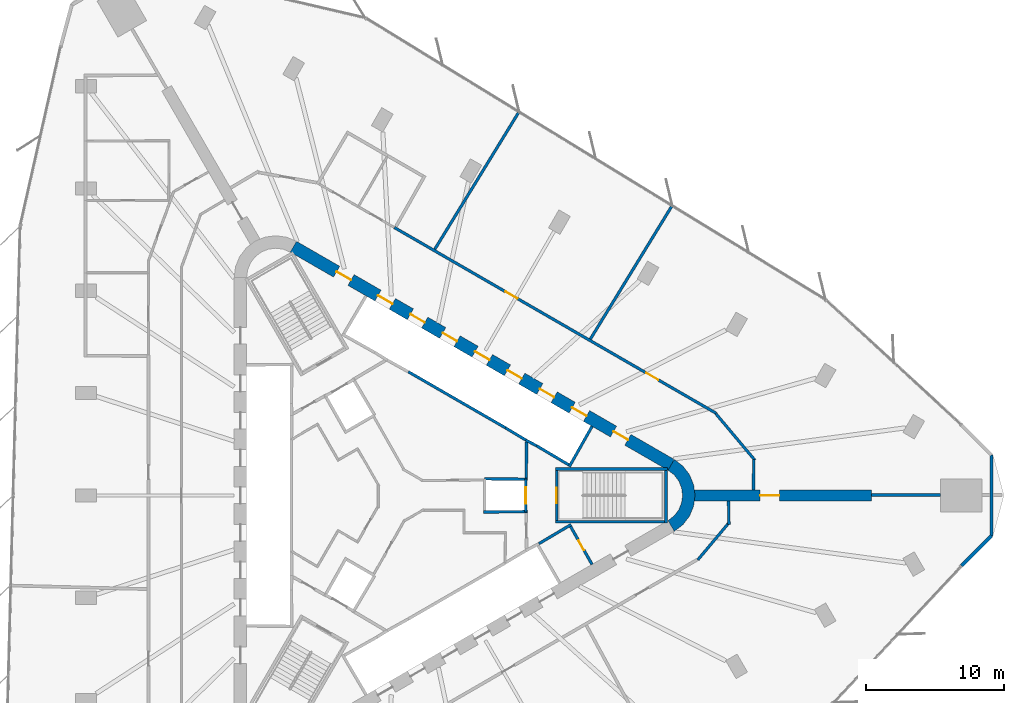
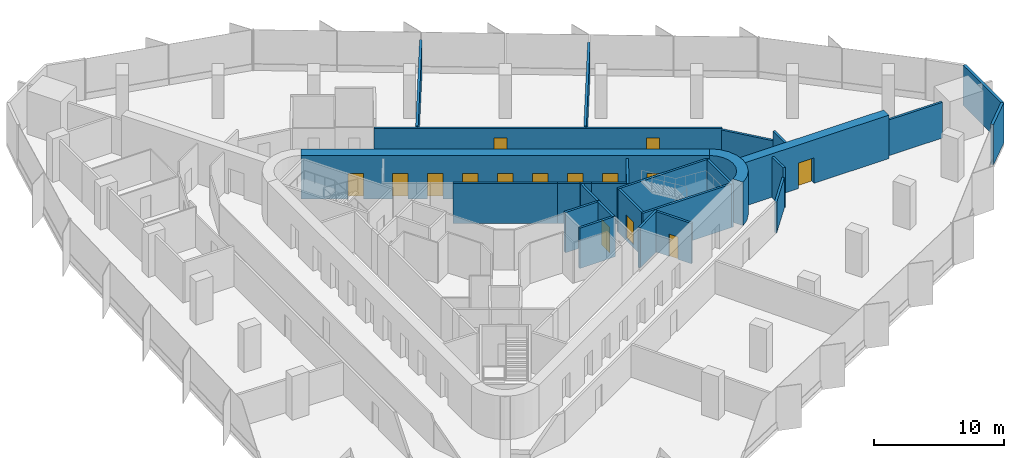
# One storey, part 12 of 14: 28 walls, 15 doors, 15 openings.
"""IFC4 building model written with IfcOpenShell, lengths in metres."""

from ifc_helpers import new_model, si_unit, direction, frame, frame_2d, origin, place, context, subcontext, project, spatial, polyline, rectangle, outline, extrude, material, layer, layer_set, type_object, element, fill, save


model = new_model("IFC4")

# Units and contexts
model_context = context("Model", 3, precision=1e-05, world=origin(), true_north=direction((0.0, 1.0)))
body_context = subcontext(model_context, "Body", "Model", "MODEL_VIEW")
ifc_project = project(units=[si_unit("LENGTHUNIT", "METRE"), si_unit("AREAUNIT", "SQUARE_METRE"), si_unit("VOLUMEUNIT", "CUBIC_METRE"), si_unit("PLANEANGLEUNIT", "RADIAN"), si_unit("MASSUNIT", "GRAM", prefix="KILO")], contexts=[model_context])

# Site, building, storey
site_placement = place(None, origin())
site = spatial("IfcSite", under=ifc_project, at=site_placement, CompositionType="ELEMENT")
building_placement = place(site_placement, origin())
building = spatial("IfcBuilding", under=site, at=building_placement, Name="Tanit Gate Tower", CompositionType="ELEMENT")
storey_placement = place(building_placement, frame((0.0, 0.0, 123.39990234375)))
storey = spatial("IfcBuildingStorey", under=building, at=storey_placement, Name="L26", CompositionType="ELEMENT", Elevation=123.39990234375)

# Wall, opening, door
ifc_material_1 = material(Name="Concrete C60/75", Category="concrete")
ifc_layer_1 = layer(ifc_material_1, 0.800048828125)
ifc_layer_set_1 = layer_set([ifc_layer_1], Name="BUTTRESS FIN 800 C60/75")
wall_type_1 = type_object("IfcWallType", Name="BUTTRESS FIN 800 C60/75", PredefinedType="SHEAR", material=ifc_layer_set_1)
wall_1_placement = place(storey_placement, frame((21.14990234375, 0.0, 0.0), z_axis=(0.0, 0.0, 1.0), x_axis=(1.0, 0.0, 0.0)))
wall_1 = element("IfcWall", 1, at=wall_1_placement, inside=storey, type_object=wall_type_1, Name="BUTTRESS FIN", PredefinedType="SHEAR", context=body_context, shape_type="SweptSolid", body=[
    extrude(rectangle(XDim=12.8125, YDim=0.800048828125, at=frame_2d((6.40625, 0.0))), origin(), (0.0, 0.0, 1.0), 4.10009765625),
])
opening_1_placement = place(wall_1_placement, frame((4.75, 0.0, 0.0)))
opening_1 = element("IfcOpeningElement", 2, at=opening_1_placement, cuts=wall_1, Name="Opening P14-S06-F-E-1", PredefinedType="OPENING", context=body_context, shape_type="SweptSolid", body=[
    extrude(rectangle(XDim=1.39990234375, YDim=2.39990234375, at=frame_2d((0.699951171875, 1.199951171875))), frame((0.0, 0.41015625, 0.0), z_axis=(0.0, -1.0, 0.0), x_axis=(1.0, 0.0, 0.0)), (0.0, 0.0, 1.0), 0.820068359375),
])
ifc_material_2 = material(Name="Timber door leaf", Category="wood")
door_type_1 = type_object("IfcDoorType", Name="INT-DOOR-FIN-PAIR-1400", OperationType="NOTDEFINED", PredefinedType="NOTDEFINED", material=ifc_material_2)
door_1_placement = place(opening_1_placement, origin())
door_1 = element("IfcDoor", 3, at=door_1_placement, inside=storey, type_object=door_type_1, Name="Door P14-S06-F-E-1", OperationType="DOUBLE_DOOR_SINGLE_SWING", OverallHeight=2.39990234375, OverallWidth=1.39990234375, PredefinedType="NOTDEFINED", context=body_context, shape_type="SweptSolid", body=[
    extrude(rectangle(XDim=1.39990234375, YDim=2.39990234375, at=frame_2d((0.699951171875, 1.199951171875))), frame((0.0, 0.02490234375, 0.0), z_axis=(0.0, -1.0, 0.0), x_axis=(1.0, 0.0, 0.0)), (0.0, 0.0, 1.0), 0.050048828125),
])
fill(opening_1, door_1)

# Wall, openings, doors
ifc_material_3 = material(Name="Concrete C60/75", Category="concrete")
ifc_layer_2 = layer(ifc_material_3, 0.89990234375)
ifc_layer_set_2 = layer_set([ifc_layer_2], Name="CORE WALL 900 C60/75")
wall_type_2 = type_object("IfcWallType", Name="CORE WALL 900 C60/75", PredefinedType="SHEAR", material=ifc_layer_set_2)
wall_2_placement = place(storey_placement, frame((19.47509765625, 2.20849609375, 0.0), z_axis=(0.0, 0.0, 1.0), x_axis=(-0.866028369851, 0.499994862586, 0.0)))
wall_2 = element("IfcWall", 4, at=wall_2_placement, inside=storey, type_object=wall_type_2, Name="CORE WALL", PredefinedType="SHEAR", context=body_context, shape_type="SweptSolid", body=[
    extrude(rectangle(XDim=31.523193359375, YDim=0.89990234375, at=frame_2d((15.76171875, 0.0))), origin(), (0.0, 0.0, 1.0), 4.10009765625),
])
opening_2_placement = place(wall_2_placement, frame((7.0615234375, 0.0, 0.0)))
opening_2 = element("IfcOpeningElement", 5, at=opening_2_placement, cuts=wall_2, Name="Opening LDLL8-S06", PredefinedType="OPENING", context=body_context, shape_type="SweptSolid", body=[
    extrude(rectangle(XDim=1.199951171875, YDim=2.39990234375, at=frame_2d((0.60009765625, 1.199951171875))), frame((0.0, 0.4599609375, 0.0), z_axis=(0.0, -1.0, 0.0), x_axis=(1.0, 0.0, 0.0)), (0.0, 0.0, 1.0), 0.919921875),
])
opening_3_placement = place(wall_2_placement, frame((9.76171875, 0.0, 0.0)))
opening_3 = element("IfcOpeningElement", 6, at=opening_3_placement, cuts=wall_2, Name="Opening LDLL9-S06", PredefinedType="OPENING", context=body_context, shape_type="SweptSolid", body=[
    extrude(rectangle(XDim=1.199951171875, YDim=2.39990234375, at=frame_2d((0.60009765625, 1.199951171875))), frame((0.0, 0.4599609375, 0.0), z_axis=(0.0, -1.0, 0.0), x_axis=(1.0, 0.0, 0.0)), (0.0, 0.0, 1.0), 0.919921875),
])
opening_4_placement = place(wall_2_placement, frame((12.461669921875, 0.0, 0.0)))
opening_4 = element("IfcOpeningElement", 7, at=opening_4_placement, cuts=wall_2, Name="Opening LDLL10-S06", PredefinedType="OPENING", context=body_context, shape_type="SweptSolid", body=[
    extrude(rectangle(XDim=1.199951171875, YDim=2.39990234375, at=frame_2d((0.60009765625, 1.199951171875))), frame((0.0, 0.4599609375, 0.0), z_axis=(0.0, -1.0, 0.0), x_axis=(1.0, 0.0, 0.0)), (0.0, 0.0, 1.0), 0.919921875),
])
opening_5_placement = place(wall_2_placement, frame((15.16162109375, 0.0, 0.0)))
opening_5 = element("IfcOpeningElement", 8, at=opening_5_placement, cuts=wall_2, Name="Opening LDSL1-S06", PredefinedType="OPENING", context=body_context, shape_type="SweptSolid", body=[
    extrude(rectangle(XDim=1.199951171875, YDim=2.39990234375, at=frame_2d((0.60009765625, 1.199951171875))), frame((0.0, 0.4599609375, 0.0), z_axis=(0.0, -1.0, 0.0), x_axis=(1.0, 0.0, 0.0)), (0.0, 0.0, 1.0), 0.919921875),
])
opening_6_placement = place(wall_2_placement, frame((17.861572265625, 0.0, 0.0)))
opening_6 = element("IfcOpeningElement", 9, at=opening_6_placement, cuts=wall_2, Name="Opening LDSL2-S06", PredefinedType="OPENING", context=body_context, shape_type="SweptSolid", body=[
    extrude(rectangle(XDim=1.199951171875, YDim=2.39990234375, at=frame_2d((0.60009765625, 1.199951171875))), frame((0.0, 0.4599609375, 0.0), z_axis=(0.0, -1.0, 0.0), x_axis=(1.0, 0.0, 0.0)), (0.0, 0.0, 1.0), 0.919921875),
])
opening_7_placement = place(wall_2_placement, frame((20.5615234375, 0.0, 0.0)))
opening_7 = element("IfcOpeningElement", 10, at=opening_7_placement, cuts=wall_2, Name="Opening LDSL3-S06", PredefinedType="OPENING", context=body_context, shape_type="SweptSolid", body=[
    extrude(rectangle(XDim=1.199951171875, YDim=2.39990234375, at=frame_2d((0.60009765625, 1.199951171875))), frame((0.0, 0.4599609375, 0.0), z_axis=(0.0, -1.0, 0.0), x_axis=(1.0, 0.0, 0.0)), (0.0, 0.0, 1.0), 0.919921875),
])
opening_8_placement = place(wall_2_placement, frame((23.26171875, 0.0, 0.0)))
opening_8 = element("IfcOpeningElement", 11, at=opening_8_placement, cuts=wall_2, Name="Opening LDSL4-S06", PredefinedType="OPENING", context=body_context, shape_type="SweptSolid", body=[
    extrude(rectangle(XDim=1.199951171875, YDim=2.39990234375, at=frame_2d((0.60009765625, 1.199951171875))), frame((0.0, 0.4599609375, 0.0), z_axis=(0.0, -1.0, 0.0), x_axis=(1.0, 0.0, 0.0)), (0.0, 0.0, 1.0), 0.919921875),
])
opening_9_placement = place(wall_2_placement, frame((3.611572265625, 0.0, 0.0)))
opening_9 = element("IfcOpeningElement", 12, at=opening_9_placement, cuts=wall_2, Name="Opening F12-S06-FL1", PredefinedType="OPENING", context=body_context, shape_type="SweptSolid", body=[
    extrude(rectangle(XDim=1.199951171875, YDim=2.39990234375, at=frame_2d((0.60009765625, 1.199951171875))), frame((0.0, 0.4599609375, 0.0), z_axis=(0.0, -1.0, 0.0), x_axis=(1.0, 0.0, 0.0)), (0.0, 0.0, 1.0), 0.919921875),
])
opening_10_placement = place(wall_2_placement, frame((26.711669921875, 0.0, 0.0)))
opening_10 = element("IfcOpeningElement", 13, at=opening_10_placement, cuts=wall_2, Name="Opening F12-S06-S2", PredefinedType="OPENING", context=body_context, shape_type="SweptSolid", body=[
    extrude(rectangle(XDim=1.199951171875, YDim=2.39990234375, at=frame_2d((0.60009765625, 1.199951171875))), frame((0.0, 0.4599609375, 0.0), z_axis=(0.0, -1.0, 0.0), x_axis=(1.0, 0.0, 0.0)), (0.0, 0.0, 1.0), 0.919921875),
])
ifc_material_4 = material(Name="Fire-rated steel door leaf", Category="steel")
door_type_2 = type_object("IfcDoorType", Name="INT-DOOR-FIRE-LOBBY-1200", OperationType="NOTDEFINED", PredefinedType="USERDEFINED", material=ifc_material_4)
door_2_placement = place(opening_9_placement, origin())
door_2 = element("IfcDoor", 14, at=door_2_placement, inside=storey, type_object=door_type_2, Name="Door F12-S06-FL1", ObjectType="FIRE DOOR", OperationType="SINGLE_SWING_LEFT", OverallHeight=2.39990234375, OverallWidth=1.199951171875, PredefinedType="USERDEFINED", context=body_context, shape_type="SweptSolid", body=[
    extrude(rectangle(XDim=1.199951171875, YDim=2.39990234375, at=frame_2d((0.60009765625, 1.199951171875))), frame((0.0, 0.02490234375, 0.0), z_axis=(0.0, -1.0, 0.0), x_axis=(1.0, 0.0, 0.0)), (0.0, 0.0, 1.0), 0.050048828125),
])
fill(opening_9, door_2)
door_3_placement = place(opening_10_placement, origin())
door_3 = element("IfcDoor", 15, at=door_3_placement, inside=storey, type_object=door_type_2, Name="Door F12-S06-S2", ObjectType="FIRE DOOR", OperationType="SINGLE_SWING_RIGHT", OverallHeight=2.39990234375, OverallWidth=1.199951171875, PredefinedType="USERDEFINED", context=body_context, shape_type="SweptSolid", body=[
    extrude(rectangle(XDim=1.199951171875, YDim=2.39990234375, at=frame_2d((0.60009765625, 1.199951171875))), frame((0.0, 0.02490234375, 0.0), z_axis=(0.0, -1.0, 0.0), x_axis=(1.0, 0.0, 0.0)), (0.0, 0.0, 1.0), 0.050048828125),
])
fill(opening_10, door_3)
ifc_material_5 = material(Name="Stainless steel sliding door leaf", Category="steel")
door_type_3 = type_object("IfcDoorType", Name="INT-DOOR-LANDING-1200", OperationType="NOTDEFINED", PredefinedType="USERDEFINED", material=ifc_material_5)
door_4_placement = place(opening_2_placement, origin())
door_4 = element("IfcDoor", 16, at=door_4_placement, inside=storey, type_object=door_type_3, Name="Door LDLL8-S06", ObjectType="LANDING DOOR", OperationType="SLIDING_TO_LEFT", OverallHeight=2.39990234375, OverallWidth=1.199951171875, PredefinedType="USERDEFINED", context=body_context, shape_type="SweptSolid", body=[
    extrude(rectangle(XDim=1.199951171875, YDim=2.39990234375, at=frame_2d((0.60009765625, 1.199951171875))), frame((0.0, 0.02490234375, 0.0), z_axis=(0.0, -1.0, 0.0), x_axis=(1.0, 0.0, 0.0)), (0.0, 0.0, 1.0), 0.050048828125),
])
fill(opening_2, door_4)
door_5_placement = place(opening_3_placement, origin())
door_5 = element("IfcDoor", 17, at=door_5_placement, inside=storey, type_object=door_type_3, Name="Door LDLL9-S06", ObjectType="LANDING DOOR", OperationType="SLIDING_TO_LEFT", OverallHeight=2.39990234375, OverallWidth=1.199951171875, PredefinedType="USERDEFINED", context=body_context, shape_type="SweptSolid", body=[
    extrude(rectangle(XDim=1.199951171875, YDim=2.39990234375, at=frame_2d((0.60009765625, 1.199951171875))), frame((0.0, 0.02490234375, 0.0), z_axis=(0.0, -1.0, 0.0), x_axis=(1.0, 0.0, 0.0)), (0.0, 0.0, 1.0), 0.050048828125),
])
fill(opening_3, door_5)
door_6_placement = place(opening_4_placement, origin())
door_6 = element("IfcDoor", 18, at=door_6_placement, inside=storey, type_object=door_type_3, Name="Door LDLL10-S06", ObjectType="LANDING DOOR", OperationType="SLIDING_TO_LEFT", OverallHeight=2.39990234375, OverallWidth=1.199951171875, PredefinedType="USERDEFINED", context=body_context, shape_type="SweptSolid", body=[
    extrude(rectangle(XDim=1.199951171875, YDim=2.39990234375, at=frame_2d((0.60009765625, 1.199951171875))), frame((0.0, 0.02490234375, 0.0), z_axis=(0.0, -1.0, 0.0), x_axis=(1.0, 0.0, 0.0)), (0.0, 0.0, 1.0), 0.050048828125),
])
fill(opening_4, door_6)
door_7_placement = place(opening_5_placement, origin())
door_7 = element("IfcDoor", 19, at=door_7_placement, inside=storey, type_object=door_type_3, Name="Door LDSL1-S06", ObjectType="LANDING DOOR", OperationType="SLIDING_TO_LEFT", OverallHeight=2.39990234375, OverallWidth=1.199951171875, PredefinedType="USERDEFINED", context=body_context, shape_type="SweptSolid", body=[
    extrude(rectangle(XDim=1.199951171875, YDim=2.39990234375, at=frame_2d((0.60009765625, 1.199951171875))), frame((0.0, 0.02490234375, 0.0), z_axis=(0.0, -1.0, 0.0), x_axis=(1.0, 0.0, 0.0)), (0.0, 0.0, 1.0), 0.050048828125),
])
fill(opening_5, door_7)
door_8_placement = place(opening_6_placement, origin())
door_8 = element("IfcDoor", 20, at=door_8_placement, inside=storey, type_object=door_type_3, Name="Door LDSL2-S06", ObjectType="LANDING DOOR", OperationType="SLIDING_TO_LEFT", OverallHeight=2.39990234375, OverallWidth=1.199951171875, PredefinedType="USERDEFINED", context=body_context, shape_type="SweptSolid", body=[
    extrude(rectangle(XDim=1.199951171875, YDim=2.39990234375, at=frame_2d((0.60009765625, 1.199951171875))), frame((0.0, 0.02490234375, 0.0), z_axis=(0.0, -1.0, 0.0), x_axis=(1.0, 0.0, 0.0)), (0.0, 0.0, 1.0), 0.050048828125),
])
fill(opening_6, door_8)
door_9_placement = place(opening_7_placement, origin())
door_9 = element("IfcDoor", 21, at=door_9_placement, inside=storey, type_object=door_type_3, Name="Door LDSL3-S06", ObjectType="LANDING DOOR", OperationType="SLIDING_TO_LEFT", OverallHeight=2.39990234375, OverallWidth=1.199951171875, PredefinedType="USERDEFINED", context=body_context, shape_type="SweptSolid", body=[
    extrude(rectangle(XDim=1.199951171875, YDim=2.39990234375, at=frame_2d((0.60009765625, 1.199951171875))), frame((0.0, 0.02490234375, 0.0), z_axis=(0.0, -1.0, 0.0), x_axis=(1.0, 0.0, 0.0)), (0.0, 0.0, 1.0), 0.050048828125),
])
fill(opening_7, door_9)
door_10_placement = place(opening_8_placement, origin())
door_10 = element("IfcDoor", 22, at=door_10_placement, inside=storey, type_object=door_type_3, Name="Door LDSL4-S06", ObjectType="LANDING DOOR", OperationType="SLIDING_TO_LEFT", OverallHeight=2.39990234375, OverallWidth=1.199951171875, PredefinedType="USERDEFINED", context=body_context, shape_type="SweptSolid", body=[
    extrude(rectangle(XDim=1.199951171875, YDim=2.39990234375, at=frame_2d((0.60009765625, 1.199951171875))), frame((0.0, 0.02490234375, 0.0), z_axis=(0.0, -1.0, 0.0), x_axis=(1.0, 0.0, 0.0)), (0.0, 0.0, 1.0), 0.050048828125),
])
fill(opening_8, door_10)

# Walls
wall_3_placement = place(storey_placement, origin())
element("IfcWall", 23, at=wall_3_placement, inside=storey, type_object=wall_type_2, Name="CORE WALL CORNER", PredefinedType="SHEAR", context=body_context, shape_type="SweptSolid", body=[
    extrude(outline(polyline([(19.699951171875, -2.59814453125), (20.3212890625, -2.121337890625), (20.798095703125, -1.5), (21.097900390625, -0.776611328125), (21.199951171875, 0.0), (21.097900390625, 0.776611328125), (20.798095703125, 1.5), (20.3212890625, 2.121337890625), (19.699951171875, 2.59814453125), (19.25, 1.818603515625), (19.684814453125, 1.48486328125), (20.018798828125, 1.050048828125), (20.228515625, 0.54345703125), (20.300048828125, 0.0), (20.228515625, -0.54345703125), (20.018798828125, -1.050048828125), (19.684814453125, -1.48486328125), (19.25, -1.818603515625), (19.699951171875, -2.59814453125)])), origin(), (0.0, 0.0, 1.0), 4.10009765625),
])
ifc_material_6 = material(Name="Concrete C30/37 with bronze anodised aluminium cladding", Category="concrete")
ifc_layer_3 = layer(ifc_material_6, 0.239990234375)
ifc_layer_set_3 = layer_set([ifc_layer_3], Name="Facade wall bronze clad 240")
wall_type_3 = type_object("IfcWallType", Name="Facade wall bronze clad 240", PredefinedType="SOLIDWALL", material=ifc_layer_set_3)
wall_4_placement = place(storey_placement, frame((40.45166015625, -5.091064453125, 0.0), z_axis=(0.0, 0.0, 1.0), x_axis=(0.707106781187, 0.707106781187, 0.0)))
element("IfcWall", 24, at=wall_4_placement, inside=storey, type_object=wall_type_3, Name="Bronze-clad facade wall L26 E.arc1", PredefinedType="SOLIDWALL", context=body_context, shape_type="SweptSolid", body=[
    extrude(rectangle(XDim=3.062744140625, YDim=0.239990234375, at=frame_2d((1.53125, 0.0))), origin(), (0.0, 0.0, 1.0), 3.800048828125),
])
wall_5_placement = place(storey_placement, frame((42.617431640625, -2.92529296875, 0.0), z_axis=(0.0, 0.0, 1.0), x_axis=(0.0, 1.0, 0.0)))
element("IfcWall", 25, at=wall_5_placement, inside=storey, type_object=wall_type_3, Name="Bronze-clad facade wall L26 E.arc2", PredefinedType="SOLIDWALL", context=body_context, shape_type="SweptSolid", body=[
    extrude(rectangle(XDim=5.8505859375, YDim=0.239990234375, at=frame_2d((2.92529296875, 0.0))), origin(), (0.0, 0.0, 1.0), 3.800048828125),
])
ifc_material_7 = material(Name="Fire-rated gypsum board partition")
ifc_layer_4 = layer(ifc_material_7, 0.199951171875)
ifc_layer_set_4 = layer_set([ifc_layer_4], Name="INT-WALL-COMPARTMENT")
wall_type_4 = type_object("IfcWallType", Name="INT-WALL-COMPARTMENT", PredefinedType="PARTITIONING", material=ifc_layer_set_4)
wall_6_placement = place(storey_placement, frame((12.244873046875, -2.10888671875, 0.0), z_axis=(0.0, 0.0, 1.0), x_axis=(-0.860414880418, -0.509594185166, 0.0)))
element("IfcWall", 26, at=wall_6_placement, inside=storey, type_object=wall_type_4, Name="Wall Compartment W057", PredefinedType="PARTITIONING", context=body_context, shape_type="SweptSolid", body=[
    extrude(rectangle(XDim=2.7001953125, YDim=0.199951171875, at=frame_2d((1.35009765625, 0.0))), origin(), (0.0, 0.0, 1.0), 3.800048828125),
])

# Wall, opening, door
wall_7_placement = place(storey_placement, frame((13.758056640625, -4.989501953125, 0.0), z_axis=(0.0, 0.0, 1.0), x_axis=(-0.491993409184, 0.87059892334, 0.0)))
wall_7 = element("IfcWall", 27, at=wall_7_placement, inside=storey, type_object=wall_type_4, Name="Wall Compartment W058", PredefinedType="PARTITIONING", context=body_context, shape_type="SweptSolid", body=[
    extrude(rectangle(XDim=3.150146484375, YDim=0.199951171875, at=frame_2d((1.5751953125, 0.0))), origin(), (0.0, 0.0, 1.0), 3.800048828125),
])
opening_11_placement = place(wall_7_placement, frame((1.175048828125, 0.0, 0.0)))
opening_11 = element("IfcOpeningElement", 28, at=opening_11_placement, cuts=wall_7, Name="Opening R08-S06-13", PredefinedType="OPENING", context=body_context, shape_type="SweptSolid", body=[
    extrude(rectangle(XDim=0.800048828125, YDim=2.10009765625, at=frame_2d((0.39990234375, 1.050048828125))), frame((0.0, 0.10986328125, 0.0), z_axis=(0.0, -1.0, 0.0), x_axis=(1.0, 0.0, 0.0)), (0.0, 0.0, 1.0), 0.219970703125),
])
ifc_material_8 = material(Name="Timber door leaf", Category="wood")
door_type_4 = type_object("IfcDoorType", Name="INT-DOOR-RISER-800", OperationType="NOTDEFINED", PredefinedType="USERDEFINED", material=ifc_material_8)
door_11_placement = place(opening_11_placement, origin())
door_11 = element("IfcDoor", 29, at=door_11_placement, inside=storey, type_object=door_type_4, Name="Door R08-S06-13", ObjectType="FIRE DOOR", OperationType="SINGLE_SWING_LEFT", OverallHeight=2.10009765625, OverallWidth=0.800048828125, PredefinedType="USERDEFINED", context=body_context, shape_type="SweptSolid", body=[
    extrude(rectangle(XDim=0.800048828125, YDim=2.10009765625, at=frame_2d((0.39990234375, 1.050048828125))), frame((0.0, 0.02490234375, 0.0), z_axis=(0.0, -1.0, 0.0), x_axis=(1.0, 0.0, 0.0)), (0.0, 0.0, 1.0), 0.050048828125),
])
fill(opening_11, door_11)

# Wall
wall_8_placement = place(storey_placement, frame((9.0009765625, 1.27001953125, 0.0), z_axis=(0.0, 0.0, 1.0), x_axis=(0.010784614026, 0.999941844359, 0.0)))
element("IfcWall", 30, at=wall_8_placement, inside=storey, type_object=wall_type_4, Name="Wall Compartment W059", PredefinedType="PARTITIONING", context=body_context, shape_type="SweptSolid", body=[
    extrude(rectangle(XDim=2.580810546875, YDim=0.199951171875, at=frame_2d((1.29052734375, 0.0))), origin(), (0.0, 0.0, 1.0), 3.800048828125),
])

# Wall, openings, doors
wall_9_placement = place(storey_placement, frame((22.727294921875, 5.930908203125, 0.0), z_axis=(0.0, 0.0, 1.0), x_axis=(-0.866024609098, 0.500001376435, 0.0)))
wall_9 = element("IfcWall", 31, at=wall_9_placement, inside=storey, type_object=wall_type_4, Name="Wall Compartment W101", PredefinedType="PARTITIONING", context=body_context, shape_type="SweptSolid", body=[
    extrude(rectangle(XDim=26.84716796875, YDim=0.199951171875, at=frame_2d((13.423583984375, 0.0))), origin(), (0.0, 0.0, 1.0), 2.97998046875),
])
opening_12_placement = place(wall_9_placement, frame((16.57763671875, 0.0, 0.0)))
opening_12 = element("IfcOpeningElement", 32, at=opening_12_placement, cuts=wall_9, Name="Opening F10-S06-24", PredefinedType="OPENING", context=body_context, shape_type="SweptSolid", body=[
    extrude(rectangle(XDim=1.0, YDim=2.10009765625, at=frame_2d((0.5, 1.050048828125))), frame((0.0, 0.10986328125, 0.0), z_axis=(0.0, -1.0, 0.0), x_axis=(1.0, 0.0, 0.0)), (0.0, 0.0, 1.0), 0.219970703125),
])
opening_13_placement = place(wall_9_placement, frame((4.828857421875, 0.0, 0.0)))
opening_13 = element("IfcOpeningElement", 33, at=opening_13_placement, cuts=wall_9, Name="Opening F10-S06-25", PredefinedType="OPENING", context=body_context, shape_type="SweptSolid", body=[
    extrude(rectangle(XDim=1.0, YDim=2.10009765625, at=frame_2d((0.5, 1.050048828125))), frame((0.0, 0.10986328125, 0.0), z_axis=(0.0, -1.0, 0.0), x_axis=(1.0, 0.0, 0.0)), (0.0, 0.0, 1.0), 0.219970703125),
])
ifc_material_9 = material(Name="Fire-rated steel door leaf", Category="steel")
door_type_5 = type_object("IfcDoorType", Name="INT-DOOR-FIRE-1000", OperationType="NOTDEFINED", PredefinedType="USERDEFINED", material=ifc_material_9)
door_12_placement = place(opening_12_placement, origin())
door_12 = element("IfcDoor", 34, at=door_12_placement, inside=storey, type_object=door_type_5, Name="Door F10-S06-24", ObjectType="FIRE DOOR", OperationType="SINGLE_SWING_RIGHT", OverallHeight=2.10009765625, OverallWidth=1.0, PredefinedType="USERDEFINED", context=body_context, shape_type="SweptSolid", body=[
    extrude(rectangle(XDim=1.0, YDim=2.10009765625, at=frame_2d((0.5, 1.050048828125))), frame((0.0, 0.02490234375, 0.0), z_axis=(0.0, -1.0, 0.0), x_axis=(1.0, 0.0, 0.0)), (0.0, 0.0, 1.0), 0.050048828125),
])
fill(opening_12, door_12)
door_13_placement = place(opening_13_placement, origin())
door_13 = element("IfcDoor", 35, at=door_13_placement, inside=storey, type_object=door_type_5, Name="Door F10-S06-25", ObjectType="FIRE DOOR", OperationType="SINGLE_SWING_RIGHT", OverallHeight=2.10009765625, OverallWidth=1.0, PredefinedType="USERDEFINED", context=body_context, shape_type="SweptSolid", body=[
    extrude(rectangle(XDim=1.0, YDim=2.10009765625, at=frame_2d((0.5, 1.050048828125))), frame((0.0, 0.02490234375, 0.0), z_axis=(0.0, -1.0, 0.0), x_axis=(1.0, 0.0, 0.0)), (0.0, 0.0, 1.0), 0.050048828125),
])
fill(opening_13, door_13)

# Walls
wall_10_placement = place(storey_placement, frame((25.52099609375, 2.548095703125, 0.0), z_axis=(0.0, 0.0, 1.0), x_axis=(-0.642784253626, 0.766047259176, 0.0)))
element("IfcWall", 36, at=wall_10_placement, inside=storey, type_object=wall_type_4, Name="Wall Compartment W102", PredefinedType="PARTITIONING", context=body_context, shape_type="SweptSolid", body=[
    extrude(rectangle(XDim=4.381103515625, YDim=0.199951171875, at=frame_2d((2.1904296875, 0.0))), origin(), (0.0, 0.0, 1.0), 2.880126953125),
])
wall_11_placement = place(storey_placement, frame((25.420654296875, 0.39990234375, 0.0), z_axis=(0.0, 0.0, 1.0), x_axis=(0.011376843137, 0.999935281626, 0.0)))
element("IfcWall", 37, at=wall_11_placement, inside=storey, type_object=wall_type_4, Name="Wall Compartment W103", PredefinedType="PARTITIONING", context=body_context, shape_type="SweptSolid", body=[
    extrude(rectangle(XDim=2.18896484375, YDim=0.199951171875, at=frame_2d((1.094482421875, 0.0))), origin(), (0.0, 0.0, 1.0), 3.800048828125),
])
wall_12_placement = place(storey_placement, frame((23.64794921875, -2.097900390625, 0.0), z_axis=(0.0, 0.0, 1.0), x_axis=(-0.015095332307, 0.99988605898, 0.0)))
element("IfcWall", 38, at=wall_12_placement, inside=storey, type_object=wall_type_4, Name="Wall Compartment W106", PredefinedType="PARTITIONING", context=body_context, shape_type="SweptSolid", body=[
    extrude(rectangle(XDim=1.6982421875, YDim=0.199951171875, at=frame_2d((0.84912109375, 0.0))), origin(), (0.0, 0.0, 1.0), 3.800048828125),
])
wall_13_placement = place(storey_placement, frame((21.4013671875, -4.657470703125, 0.0), z_axis=(0.0, 0.0, 1.0), x_axis=(0.642796210095, 0.766037226437, 0.0)))
element("IfcWall", 39, at=wall_13_placement, inside=storey, type_object=wall_type_4, Name="Wall Compartment W107", PredefinedType="PARTITIONING", context=body_context, shape_type="SweptSolid", body=[
    extrude(rectangle(XDim=3.44287109375, YDim=0.199951171875, at=frame_2d((1.721435546875, 0.0))), origin(), (0.0, 0.0, 1.0), 2.880126953125),
])
wall_14_placement = place(storey_placement, frame((2.395263671875, 17.78515625, 0.0), z_axis=(0.0, 0.0, 1.0), x_axis=(0.522409107214, 0.852694977527, 0.0)))
element("IfcWall", 40, at=wall_14_placement, inside=storey, type_object=wall_type_4, Name="Wall Compartment W124", PredefinedType="PARTITIONING", context=body_context, shape_type="SweptSolid", body=[
    extrude(rectangle(XDim=11.641357421875, YDim=0.199951171875, at=frame_2d((5.82080078125, 0.0))), origin(), (0.0, 0.0, 1.0), 3.080078125),
])
wall_15_placement = place(storey_placement, frame((19.540771484375, 20.933349609375, 0.0), z_axis=(0.0, 0.0, 1.0), x_axis=(-0.522401997829, -0.852699333097, 0.0)))
element("IfcWall", 41, at=wall_15_placement, inside=storey, type_object=wall_type_4, Name="Wall Compartment W130", PredefinedType="PARTITIONING", context=body_context, shape_type="SweptSolid", body=[
    extrude(rectangle(XDim=11.30322265625, YDim=0.199951171875, at=frame_2d((5.651611328125, 0.0))), origin(), (0.0, 0.0, 1.0), 3.080078125),
])
wall_16_placement = place(storey_placement, frame((38.92529296875, 0.030029296875, 0.0), z_axis=(0.0, 0.0, 1.0), x_axis=(-1.0, 0.0, 0.0)))
element("IfcWall", 42, at=wall_16_placement, inside=storey, type_object=wall_type_4, Name="Wall Compartment W131", PredefinedType="PARTITIONING", context=body_context, shape_type="SweptSolid", body=[
    extrude(rectangle(XDim=4.962890625, YDim=0.199951171875, at=frame_2d((2.4814453125, 0.0))), origin(), (0.0, 0.0, 1.0), 3.3701171875),
])
ifc_material_10 = material(Name="Gypsum shaft wall system")
ifc_layer_5 = layer(ifc_material_10, 0.199951171875)
ifc_layer_set_5 = layer_set([ifc_layer_5], Name="INT-WALL-SHAFT")
wall_type_5 = type_object("IfcWallType", Name="INT-WALL-SHAFT", PredefinedType="PLUMBINGWALL", material=ifc_layer_set_5)
wall_17_placement = place(storey_placement, frame((7.497314453125, 4.885986328125, 0.0), z_axis=(0.0, 0.0, 1.0), x_axis=(-0.866030989016, 0.499990325971, 0.0)))
element("IfcWall", 43, at=wall_17_placement, inside=storey, type_object=wall_type_5, Name="Wall Shaft W003", PredefinedType="PLUMBINGWALL", context=body_context, shape_type="SweptSolid", body=[
    extrude(rectangle(XDim=8.099853515625, YDim=0.199951171875, at=frame_2d((4.0498046875, 0.0))), origin(), (0.0, 0.0, 1.0), 3.800048828125),
])
wall_18_placement = place(storey_placement, frame((12.10986328125, 2.07275390625, 0.0), z_axis=(0.0, 0.0, 1.0), x_axis=(0.49196600604, 0.870614408852, 0.0)))
element("IfcWall", 44, at=wall_18_placement, inside=storey, type_object=wall_type_5, Name="Wall Shaft W013", PredefinedType="PLUMBINGWALL", context=body_context, shape_type="SweptSolid", body=[
    extrude(rectangle(XDim=3.35009765625, YDim=0.199951171875, at=frame_2d((1.675048828125, 0.0))), origin(), (0.0, 0.0, 1.0), 3.800048828125),
])
wall_19_placement = place(storey_placement, frame((12.072998046875, 2.2109375, 0.0), z_axis=(0.0, 0.0, 1.0), x_axis=(-0.860438357912, 0.509554542943, 0.0)))
element("IfcWall", 45, at=wall_19_placement, inside=storey, type_object=wall_type_5, Name="Wall Shaft W014", PredefinedType="PLUMBINGWALL", context=body_context, shape_type="SweptSolid", body=[
    extrude(rectangle(XDim=2.700439453125, YDim=0.199951171875, at=frame_2d((1.35009765625, 0.0))), origin(), (0.0, 0.0, 1.0), 3.800048828125),
])
wall_20_placement = place(storey_placement, frame((9.74755859375, 3.583251953125, 0.0), z_axis=(0.0, 0.0, 1.0), x_axis=(-0.880917147855, 0.473270513147, 0.0)))
element("IfcWall", 46, at=wall_20_placement, inside=storey, type_object=wall_type_5, Name="Wall Shaft W015", PredefinedType="PLUMBINGWALL", context=body_context, shape_type="SweptSolid", body=[
    extrude(rectangle(XDim=0.8779296875, YDim=0.199951171875, at=frame_2d((0.43896484375, 0.0))), origin(), (0.0, 0.0, 1.0), 3.800048828125),
])
wall_21_placement = place(storey_placement, frame((9.0791015625, 3.93701171875, 0.0), z_axis=(0.0, 0.0, 1.0), x_axis=(-0.857516281273, 0.51445682749, 0.0)))
element("IfcWall", 47, at=wall_21_placement, inside=storey, type_object=wall_type_5, Name="Wall Shaft W016", PredefinedType="PLUMBINGWALL", context=body_context, shape_type="SweptSolid", body=[
    extrude(rectangle(XDim=1.8447265625, YDim=0.199951171875, at=frame_2d((0.92236328125, 0.0))), origin(), (0.0, 0.0, 1.0), 3.800048828125),
])

# Wall, opening, door
wall_22_placement = place(storey_placement, frame((8.969970703125, 1.199951171875, 0.0), z_axis=(0.0, 0.0, 1.0), x_axis=(0.0, -1.0, 0.0)))
wall_22 = element("IfcWall", 48, at=wall_22_placement, inside=storey, type_object=wall_type_5, Name="Wall Shaft W037", PredefinedType="PLUMBINGWALL", context=body_context, shape_type="SweptSolid", body=[
    extrude(rectangle(XDim=2.39990234375, YDim=0.199951171875, at=frame_2d((1.199951171875, 0.0))), origin(), (0.0, 0.0, 1.0), 3.800048828125),
])
opening_14_placement = place(wall_22_placement, frame((0.60009765625, 0.0, 0.0)))
opening_14 = element("IfcOpeningElement", 49, at=opening_14_placement, cuts=wall_22, Name="Opening LDFL1-L26", PredefinedType="OPENING", context=body_context, shape_type="SweptSolid", body=[
    extrude(rectangle(XDim=1.199951171875, YDim=2.39990234375, at=frame_2d((0.60009765625, 1.199951171875))), frame((0.0, 0.10986328125, 0.0), z_axis=(0.0, -1.0, 0.0), x_axis=(1.0, 0.0, 0.0)), (0.0, 0.0, 1.0), 0.219970703125),
])
door_14_placement = place(opening_14_placement, origin())
door_14 = element("IfcDoor", 50, at=door_14_placement, inside=storey, type_object=door_type_3, Name="Door LDFL1-L26", ObjectType="LANDING DOOR", OperationType="SLIDING_TO_LEFT", OverallHeight=2.39990234375, OverallWidth=1.199951171875, PredefinedType="USERDEFINED", context=body_context, shape_type="SweptSolid", body=[
    extrude(rectangle(XDim=1.199951171875, YDim=2.39990234375, at=frame_2d((0.60009765625, 1.199951171875))), frame((0.0, 0.02490234375, 0.0), z_axis=(0.0, -1.0, 0.0), x_axis=(1.0, 0.0, 0.0)), (0.0, 0.0, 1.0), 0.050048828125),
])
fill(opening_14, door_14)

# Walls
wall_23_placement = place(storey_placement, frame((6.0, 1.199951171875, 0.0), z_axis=(0.0, 0.0, 1.0), x_axis=(0.999949988, -0.010001074852, 0.0)))
element("IfcWall", 51, at=wall_23_placement, inside=storey, type_object=wall_type_5, Name="Wall Shaft W038", PredefinedType="PLUMBINGWALL", context=body_context, shape_type="SweptSolid", body=[
    extrude(rectangle(XDim=3.100341796875, YDim=0.199951171875, at=frame_2d((1.55029296875, 0.0))), origin(), (0.0, 0.0, 1.0), 3.800048828125),
])
wall_24_placement = place(storey_placement, frame((5.89990234375, -1.200927734375, 0.0), z_axis=(0.0, 0.0, 1.0), x_axis=(0.999950064753, 0.009993397809, 0.0)))
element("IfcWall", 52, at=wall_24_placement, inside=storey, type_object=wall_type_5, Name="Wall Shaft W039", PredefinedType="PLUMBINGWALL", context=body_context, shape_type="SweptSolid", body=[
    extrude(rectangle(XDim=3.200439453125, YDim=0.199951171875, at=frame_2d((1.60009765625, 0.0))), origin(), (0.0, 0.0, 1.0), 3.800048828125),
])
ifc_material_11 = material(Name="Concrete C40/50", Category="concrete")
ifc_layer_6 = layer(ifc_material_11, 0.199951171875)
ifc_layer_set_6 = layer_set([ifc_layer_6], Name="INT-WALL-STAIR")
wall_type_6 = type_object("IfcWallType", Name="INT-WALL-STAIR", PredefinedType="SHEAR", material=ifc_layer_set_6)
wall_25_placement = place(storey_placement, frame((19.199951171875, 1.89990234375, -0.2998046875), z_axis=(0.0, 0.0, 1.0), x_axis=(-1.0, 0.0, 0.0)))
element("IfcWall", 53, at=wall_25_placement, inside=storey, type_object=wall_type_6, Name="Wall Stair W033", PredefinedType="SHEAR", context=body_context, shape_type="SweptSolid", body=[
    extrude(rectangle(XDim=8.099853515625, YDim=0.199951171875, at=frame_2d((4.0498046875, 0.0))), origin(), (0.0, 0.0, 1.0), 4.099853515625),
])
wall_26_placement = place(storey_placement, frame((19.10009765625, -2.0, -0.2998046875), z_axis=(0.0, 0.0, 1.0), x_axis=(0.0, 1.0, 0.0)))
element("IfcWall", 54, at=wall_26_placement, inside=storey, type_object=wall_type_6, Name="Wall Stair W034", PredefinedType="SHEAR", context=body_context, shape_type="SweptSolid", body=[
    extrude(rectangle(XDim=3.800048828125, YDim=0.199951171875, at=frame_2d((1.89990234375, 0.0))), origin(), (0.0, 0.0, 1.0), 4.099853515625),
])
wall_27_placement = place(storey_placement, frame((11.10009765625, -1.89990234375, -0.2998046875), z_axis=(0.0, 0.0, 1.0), x_axis=(1.0, 0.0, 0.0)))
element("IfcWall", 55, at=wall_27_placement, inside=storey, type_object=wall_type_6, Name="Wall Stair W035", PredefinedType="SHEAR", context=body_context, shape_type="SweptSolid", body=[
    extrude(rectangle(XDim=7.89990234375, YDim=0.199951171875, at=frame_2d((3.949951171875, 0.0))), origin(), (0.0, 0.0, 1.0), 4.099853515625),
])

# Wall, opening, door
wall_28_placement = place(storey_placement, frame((11.199951171875, -1.800048828125, -0.2998046875), z_axis=(0.0, 0.0, 1.0), x_axis=(0.0, 1.0, 0.0)))
wall_28 = element("IfcWall", 56, at=wall_28_placement, inside=storey, type_object=wall_type_6, Name="Wall Stair W036", PredefinedType="SHEAR", context=body_context, shape_type="SweptSolid", body=[
    extrude(rectangle(XDim=3.60009765625, YDim=0.199951171875, at=frame_2d((1.800048828125, 0.0))), origin(), (0.0, 0.0, 1.0), 4.099853515625),
])
opening_15_placement = place(wall_28_placement, frame((1.25, 0.0, 0.300048828125)))
opening_15 = element("IfcOpeningElement", 57, at=opening_15_placement, cuts=wall_28, Name="Opening S11-S06-01", PredefinedType="OPENING", context=body_context, shape_type="SweptSolid", body=[
    extrude(rectangle(XDim=1.10009765625, YDim=2.10009765625, at=frame_2d((0.550048828125, 1.050048828125))), frame((0.0, 0.10986328125, 0.0), z_axis=(0.0, -1.0, 0.0), x_axis=(1.0, 0.0, 0.0)), (0.0, 0.0, 1.0), 0.219970703125),
])
ifc_material_12 = material(Name="Timber door leaf", Category="wood")
door_type_6 = type_object("IfcDoorType", Name="INT-DOOR-STAIR-1100", OperationType="NOTDEFINED", PredefinedType="USERDEFINED", material=ifc_material_12)
door_15_placement = place(opening_15_placement, origin())
door_15 = element("IfcDoor", 58, at=door_15_placement, inside=storey, type_object=door_type_6, Name="Door S11-S06-01", ObjectType="FIRE DOOR", OperationType="SINGLE_SWING_RIGHT", OverallHeight=2.10009765625, OverallWidth=1.10009765625, PredefinedType="USERDEFINED", context=body_context, shape_type="SweptSolid", body=[
    extrude(rectangle(XDim=1.10009765625, YDim=2.10009765625, at=frame_2d((0.550048828125, 1.050048828125))), frame((0.0, 0.02490234375, 0.0), z_axis=(0.0, -1.0, 0.0), x_axis=(1.0, 0.0, 0.0)), (0.0, 0.0, 1.0), 0.050048828125),
])
fill(opening_15, door_15)

save(model, "model.ifc")
